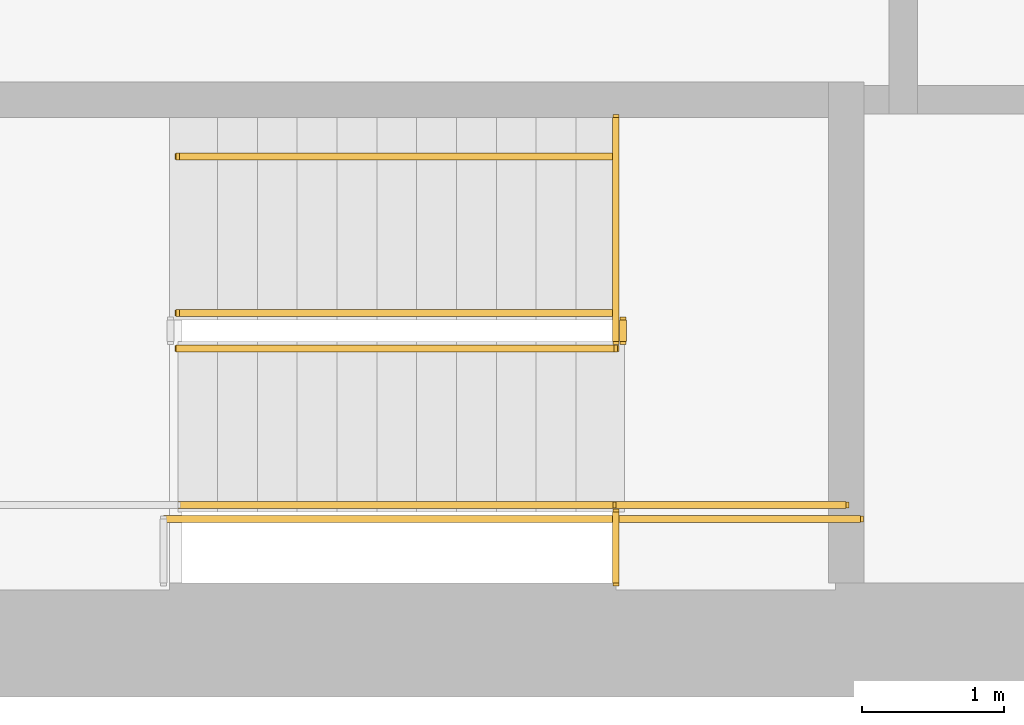
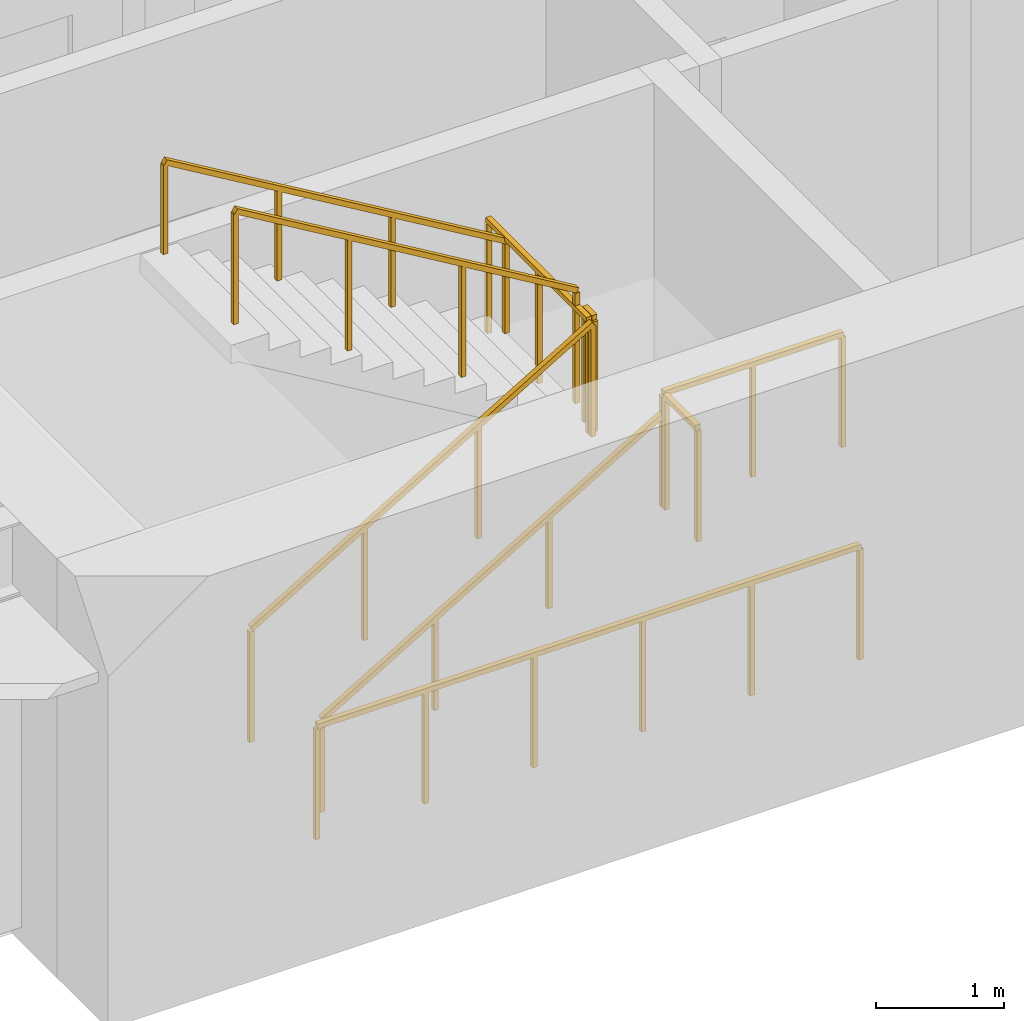
# One storey, part 10 of 12: 9 railings.
"""IFC4 building model written with IfcOpenShell, lengths in metres."""

from ifc_helpers import new_model, si_unit, direction, frame, origin, origin_2d, place, context, subcontext, project, spatial, rectangle, extrude, material, type_object, element, save


model = new_model("IFC4")

# Units and contexts
model_context = context("Model", 3, precision=1e-05, world=origin(), true_north=direction((0.0, 1.0)))
body_context = subcontext(model_context, "Body", "Model", "MODEL_VIEW")
ifc_project = project(units=[si_unit("LENGTHUNIT", "METRE"), si_unit("AREAUNIT", "SQUARE_METRE"), si_unit("VOLUMEUNIT", "CUBIC_METRE"), si_unit("PLANEANGLEUNIT", "RADIAN"), si_unit("MASSUNIT", "GRAM", prefix="KILO")], contexts=[model_context])

# Site, building, storey
site_placement = place(None, origin())
site = spatial("IfcSite", under=ifc_project, at=site_placement, CompositionType="ELEMENT")
building_placement = place(site_placement, origin())
building = spatial("IfcBuilding", under=site, at=building_placement, Name="Sennacour Bend Tower", CompositionType="ELEMENT")
storey_placement = place(building_placement, frame((0.0, 0.0, 285.0)))
storey = spatial("IfcBuildingStorey", under=building, at=storey_placement, Name="L66", CompositionType="ELEMENT", Elevation=285.0)

# Railings
ifc_material = material(Name="Stainless steel", Category="steel")
railing_type_1 = type_object("IfcRailingType", Name="RL-GUARD-1100", PredefinedType="GUARDRAIL", material=ifc_material)
railing_1_placement = place(storey_placement, frame((56.699951171875, 2.449951171875, 0.166748046875)))
element("IfcRailing", 1, at=railing_1_placement, inside=storey, type_object=railing_type_1, Name="L66 SA1 stair guard 1", PredefinedType="GUARDRAIL", context=body_context, shape_type="SweptSolid", body=[
    extrude(rectangle(XDim=0.048095703125, YDim=0.048095703125, at=origin_2d()), frame((0.0, 0.0, 1.076171875), z_axis=(0.859308565015, 0.0, 0.511457515432), x_axis=(0.0, 1.0, 0.0)), (0.0, 0.0, 1.0), 3.58447265625),
    extrude(rectangle(XDim=0.0419921875, YDim=0.0419921875, at=origin_2d()), origin(), (0.0, 0.0, 1.0), 1.052001953125),
    extrude(rectangle(XDim=0.0419921875, YDim=0.0419921875, at=origin_2d()), frame((1.026611328125, 0.0, 0.611083984375)), (0.0, 0.0, 1.0), 1.052001953125),
    extrude(rectangle(XDim=0.0419921875, YDim=0.0419921875, at=origin_2d()), frame((2.053466796875, 0.0, 1.22216796875)), (0.0, 0.0, 1.0), 1.052001953125),
    extrude(rectangle(XDim=0.0419921875, YDim=0.0419921875, at=origin_2d()), frame((3.080078125, 0.0, 1.833251953125)), (0.0, 0.0, 1.0), 1.052001953125),
])
railing_2_placement = place(storey_placement, frame((59.830078125, 2.5, 2.0)))
element("IfcRailing", 2, at=railing_2_placement, inside=storey, type_object=railing_type_1, Name="L66 SA1 stair guard 2", PredefinedType="GUARDRAIL", context=body_context, shape_type="SweptSolid", body=[
    extrude(rectangle(XDim=0.048095703125, YDim=0.048095703125, at=origin_2d()), frame((0.0, 0.0, 1.076171875), z_axis=(0.0, 1.0, 0.0), x_axis=(-1.0, 0.0, 0.0)), (0.0, 0.0, 1.0), 0.14990234375),
    extrude(rectangle(XDim=0.0419921875, YDim=0.0419921875, at=origin_2d()), origin(), (0.0, 0.0, 1.0), 1.052001953125),
    extrude(rectangle(XDim=0.0419921875, YDim=0.0419921875, at=origin_2d()), frame((0.0, 0.14990234375, 0.0)), (0.0, 0.0, 1.0), 1.052001953125),
])
railing_3_placement = place(storey_placement, frame((59.780029296875, 1.35009765625, 2.0)))
element("IfcRailing", 3, at=railing_3_placement, inside=storey, type_object=railing_type_1, Name="L66 SA1 stair guard 3", PredefinedType="GUARDRAIL", context=body_context, shape_type="SweptSolid", body=[
    extrude(rectangle(XDim=0.048095703125, YDim=0.048095703125, at=origin_2d()), frame((0.0, 0.0, 1.076171875), z_axis=(1.0, 0.0, 0.0), x_axis=(0.0, 1.0, 0.0)), (0.0, 0.0, 1.0), 1.619873046875),
    extrude(rectangle(XDim=0.0419921875, YDim=0.0419921875, at=origin_2d()), origin(), (0.0, 0.0, 1.0), 1.052001953125),
    extrude(rectangle(XDim=0.0419921875, YDim=0.0419921875, at=origin_2d()), frame((0.81005859375, 0.0, 0.0)), (0.0, 0.0, 1.0), 1.052001953125),
    extrude(rectangle(XDim=0.0419921875, YDim=0.0419921875, at=origin_2d()), frame((1.619873046875, 0.0, 0.0)), (0.0, 0.0, 1.0), 1.052001953125),
])
railing_4_placement = place(storey_placement, frame((59.780029296875, 2.699951171875, 2.166748046875)))
element("IfcRailing", 4, at=railing_4_placement, inside=storey, type_object=railing_type_1, Name="L66 SA1 stair guard 4", PredefinedType="GUARDRAIL", context=body_context, shape_type="SweptSolid", body=[
    extrude(rectangle(XDim=0.048095703125, YDim=0.048095703125, at=origin_2d()), frame((0.0, 0.0, 1.076171875), z_axis=(-0.859308565015, 0.0, 0.511457515432), x_axis=(0.0, -1.0, 0.0)), (0.0, 0.0, 1.0), 3.58447265625),
    extrude(rectangle(XDim=0.0419921875, YDim=0.0419921875, at=origin_2d()), origin(), (0.0, 0.0, 1.0), 1.052001953125),
    extrude(rectangle(XDim=0.0419921875, YDim=0.0419921875, at=origin_2d()), frame((-1.026611328125, 0.0, 0.611083984375)), (0.0, 0.0, 1.0), 1.052001953125),
    extrude(rectangle(XDim=0.0419921875, YDim=0.0419921875, at=origin_2d()), frame((-2.053466796875, 0.0, 1.22216796875)), (0.0, 0.0, 1.0), 1.052001953125),
    extrude(rectangle(XDim=0.0419921875, YDim=0.0419921875, at=origin_2d()), frame((-3.080078125, 0.0, 1.833251953125)), (0.0, 0.0, 1.0), 1.052001953125),
])
railing_5_placement = place(storey_placement, frame((56.60009765625, 1.25, 0.0)))
element("IfcRailing", 5, at=railing_5_placement, inside=storey, type_object=railing_type_1, Name="L66 SA1 stair guard 8", PredefinedType="GUARDRAIL", context=body_context, shape_type="SweptSolid", body=[
    extrude(rectangle(XDim=0.048095703125, YDim=0.048095703125, at=origin_2d()), frame((0.0, 0.0, 1.076171875), z_axis=(1.0, 0.0, 0.0), x_axis=(0.0, 1.0, 0.0)), (0.0, 0.0, 1.0), 4.89990234375),
    extrude(rectangle(XDim=0.0419921875, YDim=0.0419921875, at=origin_2d()), origin(), (0.0, 0.0, 1.0), 1.052001953125),
    extrude(rectangle(XDim=0.0419921875, YDim=0.0419921875, at=origin_2d()), frame((0.97998046875, 0.0, 0.0)), (0.0, 0.0, 1.0), 1.052001953125),
    extrude(rectangle(XDim=0.0419921875, YDim=0.0419921875, at=origin_2d()), frame((1.9599609375, 0.0, 0.0)), (0.0, 0.0, 1.0), 1.052001953125),
    extrude(rectangle(XDim=0.0419921875, YDim=0.0419921875, at=origin_2d()), frame((2.93994140625, 0.0, 0.0)), (0.0, 0.0, 1.0), 1.052001953125),
    extrude(rectangle(XDim=0.0419921875, YDim=0.0419921875, at=origin_2d()), frame((3.919921875, 0.0, 0.0)), (0.0, 0.0, 1.0), 1.052001953125),
    extrude(rectangle(XDim=0.0419921875, YDim=0.0419921875, at=origin_2d()), frame((4.89990234375, 0.0, 0.0)), (0.0, 0.0, 1.0), 1.052001953125),
])
railing_6_placement = place(storey_placement, frame((59.780029296875, 0.800048828125, 2.0)))
element("IfcRailing", 6, at=railing_6_placement, inside=storey, type_object=railing_type_1, Name="L66 SA1 landing edge guard 102", PredefinedType="GUARDRAIL", context=body_context, shape_type="SweptSolid", body=[
    extrude(rectangle(XDim=0.048095703125, YDim=0.048095703125, at=origin_2d()), frame((0.0, 0.0, 1.076171875), z_axis=(0.0, 1.0, 0.0), x_axis=(-1.0, 0.0, 0.0)), (0.0, 0.0, 1.0), 0.5),
    extrude(rectangle(XDim=0.0419921875, YDim=0.0419921875, at=origin_2d()), origin(), (0.0, 0.0, 1.0), 1.052001953125),
    extrude(rectangle(XDim=0.0419921875, YDim=0.0419921875, at=origin_2d()), frame((0.0, 0.5, 0.0)), (0.0, 0.0, 1.0), 1.052001953125),
])
railing_7_placement = place(storey_placement, frame((59.780029296875, 2.5, 2.0)))
element("IfcRailing", 7, at=railing_7_placement, inside=storey, type_object=railing_type_1, Name="L66 SA1 landing edge guard 103", PredefinedType="GUARDRAIL", context=body_context, shape_type="SweptSolid", body=[
    extrude(rectangle(XDim=0.048095703125, YDim=0.048095703125, at=origin_2d()), frame((0.0, 0.0, 1.076171875), z_axis=(0.0, 1.0, 0.0), x_axis=(-1.0, 0.0, 0.0)), (0.0, 0.0, 1.0), 1.574951171875),
    extrude(rectangle(XDim=0.0419921875, YDim=0.0419921875, at=origin_2d()), origin(), (0.0, 0.0, 1.0), 1.052001953125),
    extrude(rectangle(XDim=0.0419921875, YDim=0.0419921875, at=origin_2d()), frame((0.0, 0.78759765625, 0.0)), (0.0, 0.0, 1.0), 1.052001953125),
    extrude(rectangle(XDim=0.0419921875, YDim=0.0419921875, at=origin_2d()), frame((0.0, 1.574951171875, 0.0)), (0.0, 0.0, 1.0), 1.052001953125),
])
railing_type_2 = type_object("IfcRailingType", Name="RL-HANDRAIL-900", PredefinedType="HANDRAIL", material=ifc_material)
railing_8_placement = place(storey_placement, frame((56.699951171875, 1.35009765625, 0.166748046875)))
element("IfcRailing", 8, at=railing_8_placement, inside=storey, type_object=railing_type_2, Name="L66 SA1 stair handrail 1", PredefinedType="HANDRAIL", context=body_context, shape_type="SweptSolid", body=[
    extrude(rectangle(XDim=0.048095703125, YDim=0.048095703125, at=origin_2d()), frame((0.0, 0.0, 0.8759765625), z_axis=(0.859308565015, 0.0, 0.511457515432), x_axis=(0.0, 1.0, 0.0)), (0.0, 0.0, 1.0), 3.58447265625),
    extrude(rectangle(XDim=0.0419921875, YDim=0.0419921875, at=origin_2d()), origin(), (0.0, 0.0, 1.0), 0.851806640625),
    extrude(rectangle(XDim=0.0419921875, YDim=0.0419921875, at=origin_2d()), frame((1.026611328125, 0.0, 0.611083984375)), (0.0, 0.0, 1.0), 0.851806640625),
    extrude(rectangle(XDim=0.0419921875, YDim=0.0419921875, at=origin_2d()), frame((2.053466796875, 0.0, 1.22216796875)), (0.0, 0.0, 1.0), 0.851806640625),
    extrude(rectangle(XDim=0.0419921875, YDim=0.0419921875, at=origin_2d()), frame((3.080078125, 0.0, 1.833251953125)), (0.0, 0.0, 1.0), 0.851806640625),
])
railing_9_placement = place(storey_placement, frame((59.780029296875, 3.800048828125, 2.166748046875)))
element("IfcRailing", 9, at=railing_9_placement, inside=storey, type_object=railing_type_2, Name="L66 SA1 stair handrail 2", PredefinedType="HANDRAIL", context=body_context, shape_type="SweptSolid", body=[
    extrude(rectangle(XDim=0.048095703125, YDim=0.048095703125, at=origin_2d()), frame((0.0, 0.0, 0.8759765625), z_axis=(-0.859308565015, 0.0, 0.511457515432), x_axis=(0.0, -1.0, 0.0)), (0.0, 0.0, 1.0), 3.58447265625),
    extrude(rectangle(XDim=0.0419921875, YDim=0.0419921875, at=origin_2d()), origin(), (0.0, 0.0, 1.0), 0.851806640625),
    extrude(rectangle(XDim=0.0419921875, YDim=0.0419921875, at=origin_2d()), frame((-1.026611328125, 0.0, 0.611083984375)), (0.0, 0.0, 1.0), 0.851806640625),
    extrude(rectangle(XDim=0.0419921875, YDim=0.0419921875, at=origin_2d()), frame((-2.053466796875, 0.0, 1.22216796875)), (0.0, 0.0, 1.0), 0.851806640625),
    extrude(rectangle(XDim=0.0419921875, YDim=0.0419921875, at=origin_2d()), frame((-3.080078125, 0.0, 1.833251953125)), (0.0, 0.0, 1.0), 0.851806640625),
])

save(model, "model.ifc")
